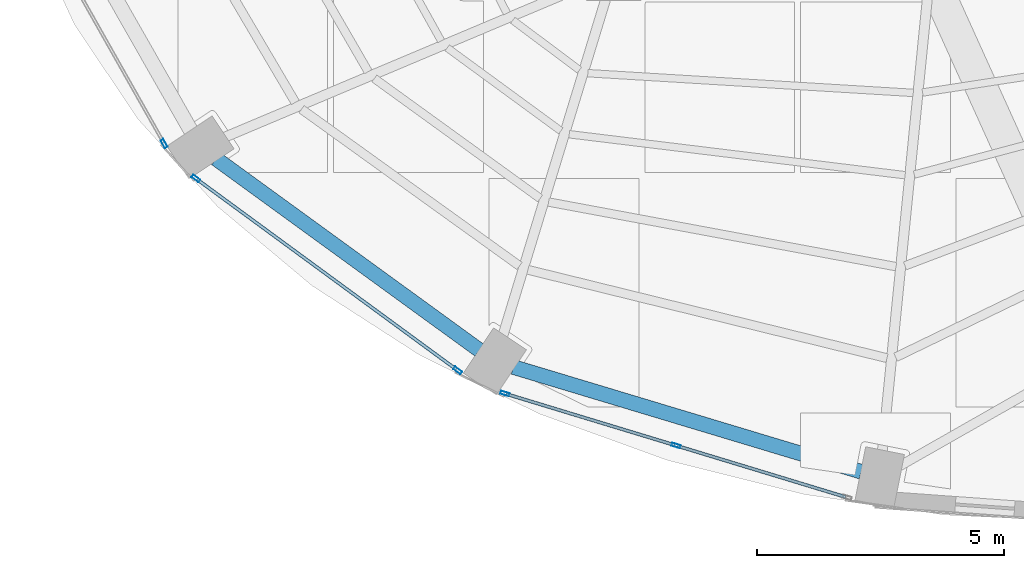
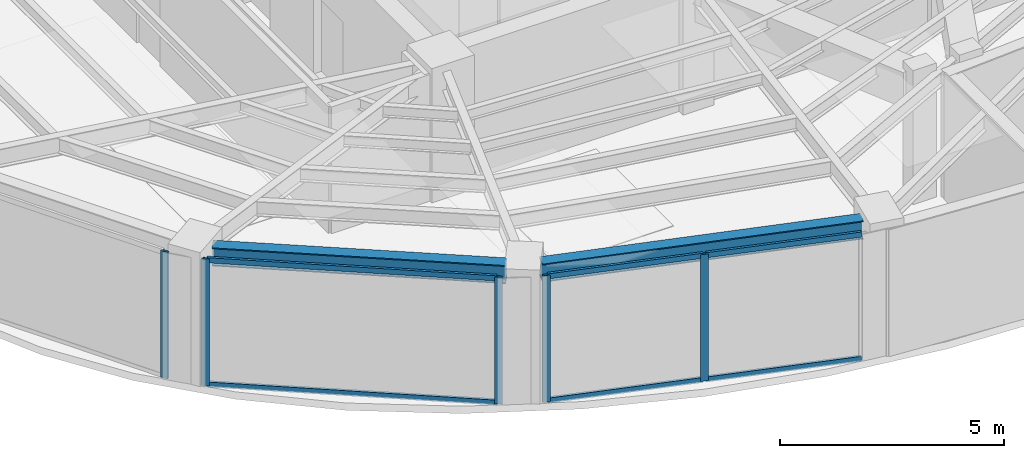
# One storey, part 2 of 22: 11 members, 2 beams, 3 elements without a shape of their own.
"""IFC4 building model written with IfcOpenShell, lengths in metres."""

from ifc_helpers import new_model, si_unit, direction, frame, origin, origin_2d, place, context, subcontext, project, spatial, hollow_rectangle, i_section, extrude, material, layer, layer_set, material_profile, profile_set, type_object, element, aggregate, save


model = new_model("IFC4")

# Units and contexts
model_context = context("Model", 3, precision=1e-05, world=origin(), true_north=direction((0.0, 1.0)))
body_context = subcontext(model_context, "Body", "Model", "MODEL_VIEW")
ifc_project = project(units=[si_unit("LENGTHUNIT", "METRE"), si_unit("AREAUNIT", "SQUARE_METRE"), si_unit("VOLUMEUNIT", "CUBIC_METRE"), si_unit("PLANEANGLEUNIT", "RADIAN"), si_unit("MASSUNIT", "GRAM", prefix="KILO")], contexts=[model_context])

# Site, building, storey
site_placement = place(None, origin())
site = spatial("IfcSite", under=ifc_project, at=site_placement, CompositionType="ELEMENT")
building_placement = place(site_placement, origin())
building = spatial("IfcBuilding", under=site, at=building_placement, Name="Lazwardi Medical Tower", CompositionType="ELEMENT")
storey_placement = place(building_placement, frame((0.0, 0.0, 258.672119140625)))
storey = spatial("IfcBuildingStorey", under=building, at=storey_placement, Name="L67", CompositionType="ELEMENT", Elevation=258.672119140625)

# Beams
ifc_material_1 = material(Name="Steel S355", Category="steel")
ifc_material_profile_1 = material_profile(ifc_material_1, i_section(OverallWidth=0.300048828125, OverallDepth=0.5, WebThickness=0.014404296875, FlangeThickness=0.028076171875, at=origin_2d()), Name="HEB 500")
ifc_profile_set_1 = profile_set([ifc_material_profile_1], Name="Steel S355")
beam_type = type_object("IfcBeamType", Name="BM-RB-Z4", PredefinedType="BEAM", material=ifc_profile_set_1)
beam_1_placement = place(storey_placement, frame((18.355712890625, 16.648193359375, 3.197998046875), z_axis=(0.808889916254, -0.587960120571, 0.0), x_axis=(0.587960120571, 0.808889916254, 0.0)))
element("IfcBeam", 1, at=beam_1_placement, inside=storey, type_object=beam_type, Name="Ring beam RB-05 B14 L67", PredefinedType="BEAM", context=body_context, shape_type="SweptSolid", body=[
    extrude(i_section(OverallWidth=0.300048828125, OverallDepth=0.5, WebThickness=0.014404296875, FlangeThickness=0.028076171875, at=origin_2d()), origin(), (0.0, 0.0, 1.0), 6.587158203125),
])
beam_2_placement = place(storey_placement, frame((24.373046875, 12.43359375, 3.197998046875), z_axis=(0.957544311906, -0.288286126506, 0.0), x_axis=(0.288286126506, 0.957544311906, 0.0)))
element("IfcBeam", 2, at=beam_2_placement, inside=storey, type_object=beam_type, Name="Ring beam RB-05 B15 L67", PredefinedType="BEAM", context=body_context, shape_type="SweptSolid", body=[
    extrude(i_section(OverallWidth=0.300048828125, OverallDepth=0.5, WebThickness=0.014404296875, FlangeThickness=0.028076171875, at=origin_2d()), origin(), (0.0, 0.0, 1.0), 7.3515625),
])

# Curtain wall, member
ifc_material_2 = material(Name="Anodised bronze aluminium and solar control glazing", Category="aluminium")
ifc_layer = layer(ifc_material_2, 0.18994140625)
ifc_layer_set = layer_set([ifc_layer], Name="Anodised bronze aluminium and solar control glazing")
curtain_wall_type = type_object("IfcCurtainWallType", Name="CW-SYS-04", PredefinedType="NOTDEFINED", material=ifc_layer_set)
curtain_wall_1_placement = place(storey_placement, origin())
curtain_wall_1 = element("IfcCurtainWall", 3, at=curtain_wall_1_placement, inside=storey, type_object=curtain_wall_type, Name="L67 Unitised bronze curtain wall CW-04", PredefinedType="NOTDEFINED")
ifc_material_3 = material(Name="Anodised bronze aluminium", Category="aluminium")
ifc_material_profile_2 = material_profile(ifc_material_3, hollow_rectangle(XDim=0.06494140625, YDim=0.179931640625, WallThickness=0.00390625, at=origin_2d()), Name="ALU-MULLION 180x65x4")
ifc_profile_set_2 = profile_set([ifc_material_profile_2], Name="Anodised bronze aluminium")
member_type_1 = type_object("IfcMemberType", Name="CW-MUL-03", PredefinedType="MULLION", material=ifc_profile_set_2)
member_1_placement = place(storey_placement, frame((17.3056640625, 16.95458984375, 0.0), z_axis=(0.0, 0.0, 1.0), x_axis=(0.870651436011, 0.491900474661, 0.0)))
member_1 = element("IfcMember", 4, at=member_1_placement, type_object=member_type_1, Name="CW-04 mullion 2", PredefinedType="MULLION", context=body_context, shape_type="SweptSolid", body=[
    extrude(hollow_rectangle(XDim=0.06494140625, YDim=0.179931640625, WallThickness=0.00390625, at=origin_2d()), origin(), (0.0, 0.0, 1.0), 3.447998046875),
])
aggregate(curtain_wall_1, [member_1])

# Curtain wall, members
curtain_wall_2_placement = place(storey_placement, origin())
curtain_wall_2 = element("IfcCurtainWall", 5, at=curtain_wall_2_placement, inside=storey, type_object=curtain_wall_type, Name="L67 Unitised bronze curtain wall CW-04", PredefinedType="NOTDEFINED")
member_2_placement = place(storey_placement, frame((17.947998046875, 16.248291015625, 0.0), z_axis=(0.0, 0.0, 1.0), x_axis=(0.591268230971, 0.806474971121, 0.0)))
member_2 = element("IfcMember", 6, at=member_2_placement, type_object=member_type_1, Name="CW-04 mullion 1", PredefinedType="MULLION", context=body_context, shape_type="SweptSolid", body=[
    extrude(hollow_rectangle(XDim=0.06494140625, YDim=0.179931640625, WallThickness=0.00390625, at=origin_2d()), origin(), (0.0, 0.0, 1.0), 3.447998046875),
])
member_3_placement = place(storey_placement, frame((23.24462890625, 12.365234375, 0.0), z_axis=(0.0, 0.0, 1.0), x_axis=(0.591268230971, 0.806474971121, 0.0)))
member_3 = element("IfcMember", 7, at=member_3_placement, type_object=member_type_1, Name="CW-04 mullion 2", PredefinedType="MULLION", context=body_context, shape_type="SweptSolid", body=[
    extrude(hollow_rectangle(XDim=0.06494140625, YDim=0.179931640625, WallThickness=0.00390625, at=origin_2d()), origin(), (0.0, 0.0, 1.0), 3.447998046875),
])

curtain_wall_3_placement = place(storey_placement, origin())
curtain_wall_3 = element("IfcCurtainWall", 8, at=curtain_wall_3_placement, inside=storey, type_object=curtain_wall_type, Name="L67 Unitised bronze curtain wall CW-04", PredefinedType="NOTDEFINED")
member_4_placement = place(storey_placement, frame((24.2001953125, 11.896484375, 0.0), z_axis=(0.0, 0.0, 1.0), x_axis=(0.290581889515, 0.956850126972, 0.0)))
member_4 = element("IfcMember", 9, at=member_4_placement, type_object=member_type_1, Name="CW-04 mullion 1", PredefinedType="MULLION", context=body_context, shape_type="SweptSolid", body=[
    extrude(hollow_rectangle(XDim=0.06494140625, YDim=0.179931640625, WallThickness=0.00390625, at=origin_2d()), origin(), (0.0, 0.0, 1.0), 3.447998046875),
])
member_5_placement = place(storey_placement, frame((27.66357421875, 10.8447265625, 0.0), z_axis=(0.0, 0.0, 1.0), x_axis=(0.290581889515, 0.956850126972, 0.0)))
member_5 = element("IfcMember", 10, at=member_5_placement, type_object=member_type_1, Name="CW-04 mullion 2", PredefinedType="MULLION", context=body_context, shape_type="SweptSolid", body=[
    extrude(hollow_rectangle(XDim=0.06494140625, YDim=0.179931640625, WallThickness=0.00390625, at=origin_2d()), origin(), (0.0, 0.0, 1.0), 3.447998046875),
])

# Member
ifc_material_profile_3 = material_profile(ifc_material_3, hollow_rectangle(XDim=0.06494140625, YDim=0.139892578125, WallThickness=0.00341796875, at=origin_2d()), Name="ALU-TRANSOM 140x65x3.5")
ifc_profile_set_3 = profile_set([ifc_material_profile_3], Name="Anodised bronze aluminium")
member_type_2 = type_object("IfcMemberType", Name="CW-TRN-03", PredefinedType="USERDEFINED", material=ifc_profile_set_3)
member_6_placement = place(storey_placement, frame((17.97412109375, 16.229248046875, 0.032470703125), z_axis=(0.806471831148, -0.591272513791, 0.0), x_axis=(0.591272513791, 0.806471831148, 0.0)))
member_6 = element("IfcMember", 11, at=member_6_placement, type_object=member_type_2, Name="CW-04 transom 1.1", ObjectType="TRANSOM", PredefinedType="USERDEFINED", context=body_context, shape_type="SweptSolid", body=[
    extrude(hollow_rectangle(XDim=0.06494140625, YDim=0.139892578125, WallThickness=0.00341796875, at=origin_2d()), origin(), (0.0, 0.0, 1.0), 6.5029296875),
])

member_7_placement = place(storey_placement, frame((17.97412109375, 16.229248046875, 3.415283203125), z_axis=(0.806471831148, -0.591272513791, 0.0), x_axis=(0.591272513791, 0.806471831148, 0.0)))
member_7 = element("IfcMember", 12, at=member_7_placement, type_object=member_type_2, Name="CW-04 transom 1.2", ObjectType="TRANSOM", PredefinedType="USERDEFINED", context=body_context, shape_type="SweptSolid", body=[
    extrude(hollow_rectangle(XDim=0.06494140625, YDim=0.139892578125, WallThickness=0.00341796875, at=origin_2d()), origin(), (0.0, 0.0, 1.0), 6.5029296875),
])

aggregate(curtain_wall_2, [member_2, member_3, member_6, member_7])

member_8_placement = place(storey_placement, frame((24.2314453125, 11.886962890625, 0.032470703125), z_axis=(0.956862505902, -0.290541124109, 0.0), x_axis=(0.290541124109, 0.956862505902, 0.0)))
member_8 = element("IfcMember", 13, at=member_8_placement, type_object=member_type_2, Name="CW-04 transom 1.1", ObjectType="TRANSOM", PredefinedType="USERDEFINED", context=body_context, shape_type="SweptSolid", body=[
    extrude(hollow_rectangle(XDim=0.06494140625, YDim=0.139892578125, WallThickness=0.00341796875, at=origin_2d()), origin(), (0.0, 0.0, 1.0), 3.554443359375),
])

member_9_placement = place(storey_placement, frame((24.2314453125, 11.886962890625, 3.415283203125), z_axis=(0.956862505902, -0.290541124109, 0.0), x_axis=(0.290541124109, 0.956862505902, 0.0)))
member_9 = element("IfcMember", 14, at=member_9_placement, type_object=member_type_2, Name="CW-04 transom 1.2", ObjectType="TRANSOM", PredefinedType="USERDEFINED", context=body_context, shape_type="SweptSolid", body=[
    extrude(hollow_rectangle(XDim=0.06494140625, YDim=0.139892578125, WallThickness=0.00341796875, at=origin_2d()), origin(), (0.0, 0.0, 1.0), 3.554443359375),
])

member_10_placement = place(storey_placement, frame((27.694580078125, 10.835205078125, 0.032470703125), z_axis=(0.956862505902, -0.290541124109, 0.0), x_axis=(0.290541124109, 0.956862505902, 0.0)))
member_10 = element("IfcMember", 15, at=member_10_placement, type_object=member_type_2, Name="CW-04 transom 2.1", ObjectType="TRANSOM", PredefinedType="USERDEFINED", context=body_context, shape_type="SweptSolid", body=[
    extrude(hollow_rectangle(XDim=0.06494140625, YDim=0.139892578125, WallThickness=0.00341796875, at=origin_2d()), origin(), (0.0, 0.0, 1.0), 3.554443359375),
])

member_11_placement = place(storey_placement, frame((27.694580078125, 10.835205078125, 3.415283203125), z_axis=(0.956862505902, -0.290541124109, 0.0), x_axis=(0.290541124109, 0.956862505902, 0.0)))
member_11 = element("IfcMember", 16, at=member_11_placement, type_object=member_type_2, Name="CW-04 transom 2.2", ObjectType="TRANSOM", PredefinedType="USERDEFINED", context=body_context, shape_type="SweptSolid", body=[
    extrude(hollow_rectangle(XDim=0.06494140625, YDim=0.139892578125, WallThickness=0.00341796875, at=origin_2d()), origin(), (0.0, 0.0, 1.0), 3.554443359375),
])

aggregate(curtain_wall_3, [member_4, member_5, member_8, member_9, member_10, member_11])

save(model, "model.ifc")
